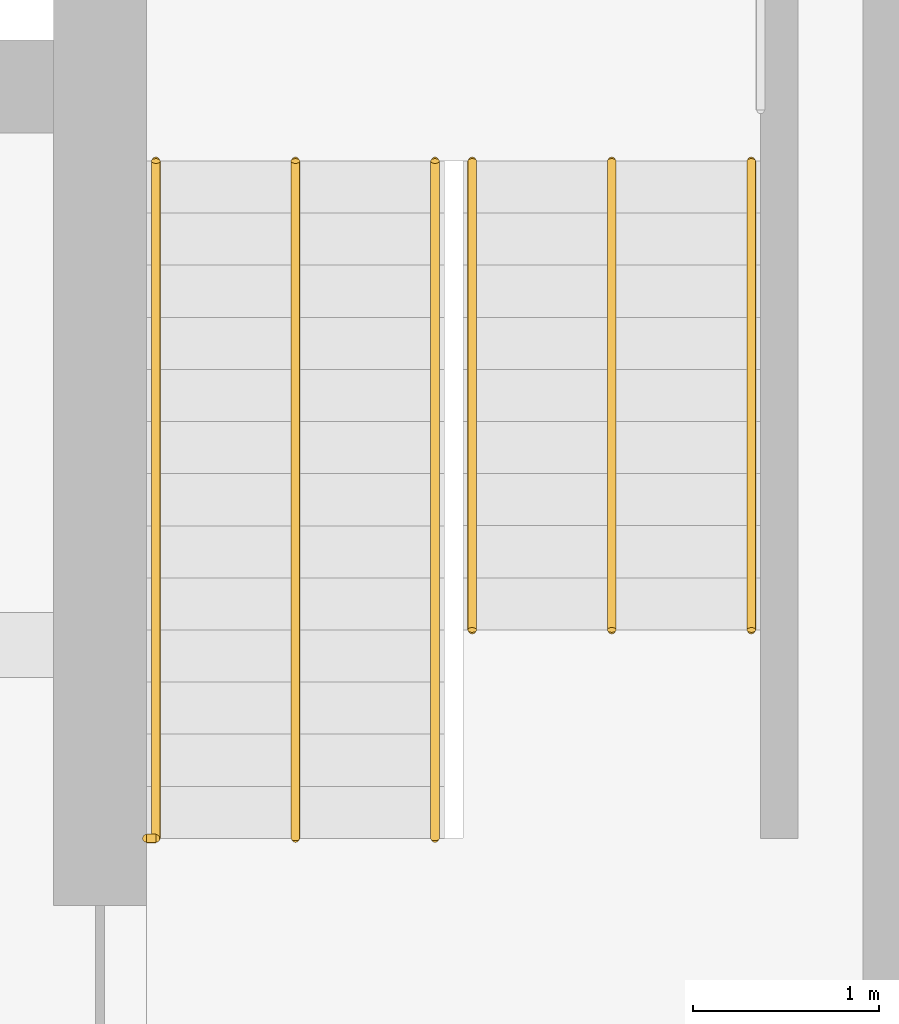
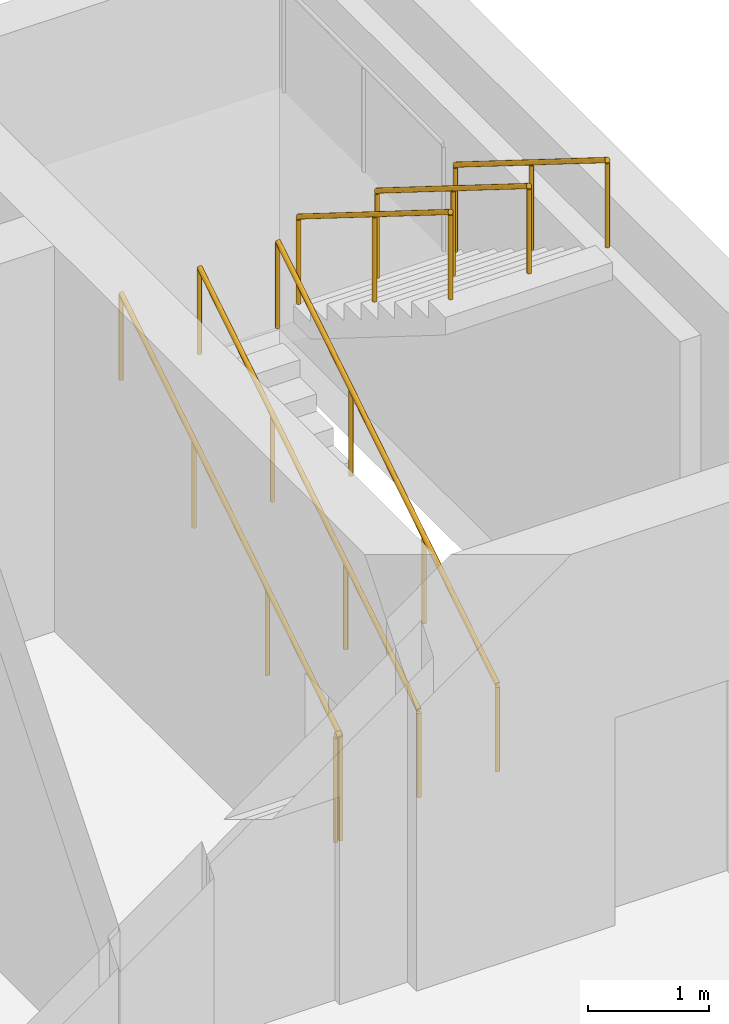
# One storey, part 15 of 16: 7 railings.
"""IFC4 building model written with IfcOpenShell, lengths in metres."""

import ifcopenshell
import ifcopenshell.guid

model = None  # the IFC model being written
_history = None  # IfcOwnerHistory: only IFC2X3 demands one
_inside = {}  # id of a spatial element -> (the spatial element, [elements in it])
_under = {}  # id of a project, library or spatial element -> (it, [spatial elements below it])
_declared = {}  # id of a project -> (the project, [libraries it declares])
_typed = {}  # id of a type object -> (the type object, [elements of that type])
_made_of = {}  # id of a material, layer set ... -> (it, [elements and type objects made of it])


def new_model(schema):
    """Start an empty IFC model of exactly this schema.

    Asked for "IFC4X3", IfcOpenShell would pick the latest addendum, in which some entities
    have other attributes; the version numbers below select the first issue.
    IFC2X3 requires an IfcOwnerHistory on every rooted entity: one is made here for all.
    """
    global model, _history
    if schema == "IFC4X3":
        model = ifcopenshell.file(schema_version=(4, 3, 0, 0))
    else:
        model = ifcopenshell.file(schema=schema)
    _inside.clear()
    _under.clear()
    _declared.clear()
    _typed.clear()
    _made_of.clear()
    _history = None
    if model.schema == "IFC2X3":
        org = make("IfcOrganization", Name="unknown")
        user = make(
            "IfcPersonAndOrganization",
            ThePerson=make("IfcPerson", FamilyName="unknown"),
            TheOrganization=org,
        )
        app = make(
            "IfcApplication",
            ApplicationDeveloper=org,
            Version="unknown",
            ApplicationFullName="unknown",
            ApplicationIdentifier="unknown",
        )
        _history = make(
            "IfcOwnerHistory",
            OwningUser=user,
            OwningApplication=app,
            ChangeAction="ADDED",
            CreationDate=0,
        )
    return model


def make(cls, **values):
    """One entity of the class cls with the attributes given. An attribute that is None is left unset."""
    return model.create_entity(
        cls, **{name: value for name, value in values.items() if value is not None}
    )


def rooted(cls, **values):
    """An entity with a GlobalId (a new one), such as an element, a storey or a relation."""
    return make(cls, GlobalId=ifcopenshell.guid.new(), OwnerHistory=_history, **values)


def si_unit(unit_type, name, prefix=None):
    """IfcSIUnit, for example si_unit("LENGTHUNIT", "METRE", prefix="MILLI")."""
    return make("IfcSIUnit", UnitType=unit_type, Prefix=prefix, Name=name)


def assignment(units):
    """IfcUnitAssignment: the units of a project."""
    return None if units is None else make("IfcUnitAssignment", Units=units)


def point(xyz):
    """IfcCartesianPoint."""
    return None if xyz is None else make("IfcCartesianPoint", Coordinates=xyz)


def direction(xyz):
    """IfcDirection."""
    return None if xyz is None else make("IfcDirection", DirectionRatios=xyz)


def frame(location, z_axis=None, x_axis=None):
    """IfcAxis2Placement3D, a coordinate frame: its origin and axes. An axis left out is left unset."""
    return make(
        "IfcAxis2Placement3D",
        Location=point(location),
        Axis=direction(z_axis),
        RefDirection=direction(x_axis),
    )


def frame_2d(location, x_axis=None):
    """IfcAxis2Placement2D, a coordinate frame in the plane: its origin and x axis."""
    return make(
        "IfcAxis2Placement2D", Location=point(location), RefDirection=direction(x_axis)
    )


def origin():
    """The frame at (0, 0, 0) with its axes left unset."""
    return frame((0.0, 0.0, 0.0))


def origin_2d():
    """The frame at (0, 0) in the plane with its x axis left unset."""
    return frame_2d((0.0, 0.0))


def place(relative_to, where):
    """IfcLocalPlacement: puts the frame where relative to a parent placement (None: the world)."""
    return make(
        "IfcLocalPlacement", PlacementRelTo=relative_to, RelativePlacement=where
    )


def context(
    kind, dimensions, precision=None, world=None, true_north=None, identifier=None
):
    """IfcGeometricRepresentationContext, for example the 3D "Model" context."""
    return make(
        "IfcGeometricRepresentationContext",
        ContextIdentifier=identifier,
        ContextType=kind,
        CoordinateSpaceDimension=dimensions,
        Precision=precision,
        WorldCoordinateSystem=world,
        TrueNorth=true_north,
    )


def subcontext(parent, identifier, kind, view, scale=None):
    """IfcGeometricRepresentationSubContext, for example "Body" below "Model"."""
    return make(
        "IfcGeometricRepresentationSubContext",
        ContextIdentifier=identifier,
        ContextType=kind,
        ParentContext=parent,
        TargetScale=scale,
        TargetView=view,
    )


def project(units=None, contexts=None):
    """IfcProject with its units and contexts."""
    return rooted(
        "IfcProject",
        Name="project",
        RepresentationContexts=contexts,
        UnitsInContext=assignment(units),
    )


def spatial(cls, under=None, at=None, **own):
    """A site, building, storey or space (cls), placed at a placement, below another one or the project."""
    s = rooted(cls, ObjectPlacement=at, **own)
    if under is not None:
        _under.setdefault(under.id(), (under, []))[1].append(s)
    return s


def profile(cls, at=None, kind="AREA", **sizes):
    """A parametric profile (cls). Its sizes go by their IFC names, for example OverallWidth=200.0."""
    return make(cls, ProfileType=kind, Position=at, **sizes)


def circle(**sizes):
    """IfcCircleProfileDef."""
    return profile("IfcCircleProfileDef", **sizes)


def extrude(swept, where, along, depth):
    """IfcExtrudedAreaSolid: the profile swept, set in the frame where, extruded along a direction by depth."""
    return make(
        "IfcExtrudedAreaSolid",
        SweptArea=swept,
        Position=where,
        ExtrudedDirection=direction(along),
        Depth=depth,
    )


def shape(context_of_items, identifier, shape_type, items):
    """IfcShapeRepresentation: the items that make up one representation, for example the "Body"."""
    return make(
        "IfcShapeRepresentation",
        ContextOfItems=context_of_items,
        RepresentationIdentifier=identifier,
        RepresentationType=shape_type,
        Items=items,
    )


def material(Name=None, Category=None):
    """IfcMaterial."""
    return make("IfcMaterial", Name=Name, Category=Category)


def made_of(thing, what):
    """Note that an element or type object is made of a material, layer set ...; save() writes the relation."""
    if what is not None:
        _made_of.setdefault(what.id(), (what, []))[1].append(thing)
    return thing


def type_object(cls, material=None, **own):
    """A type object (cls), such as IfcWallType, which elements share."""
    return made_of(rooted(cls, **own), material)


def element(
    cls,
    number,
    at=None,
    inside=None,
    cuts=None,
    type_object=None,
    material=None,
    context=None,
    identifier="Body",
    shape_type=None,
    held_by="IfcProductDefinitionShape",
    body=None,
    shapes=None,
    **own,
):
    """One element of the class cls, such as IfcWall. Its Tag is "e" and its number.

    at: its placement. inside: the storey or other place that contains it. cuts: it is an
    opening in that element (IfcRelVoidsElement). A single representation is given by context,
    identifier, shape_type and body (its items); several are given by shapes. held_by: the class
    of the entity that holds the representations. save() writes the other relations.
    """
    e = rooted(cls, Tag="e%d" % number, ObjectPlacement=at, **own)
    if body is not None:
        shapes = [shape(context, identifier, shape_type, body)]
    if shapes is not None:
        e.Representation = make(held_by, Representations=shapes)
    if inside is not None:
        _inside.setdefault(inside.id(), (inside, []))[1].append(e)
    if cuts is not None:
        rooted(
            "IfcRelVoidsElement", RelatingBuildingElement=cuts, RelatedOpeningElement=e
        )
    if type_object is not None:
        _typed.setdefault(type_object.id(), (type_object, []))[1].append(e)
    return made_of(e, material)


def aggregate(whole, parts):
    """IfcRelAggregates: a whole, such as a stair, and the parts it consists of."""
    return rooted("IfcRelAggregates", RelatingObject=whole, RelatedObjects=parts)


def save(model, path):
    """Write the relations noted so far, then the file.

    IfcRelAggregates (storeys below a building ...), IfcRelContainedInSpatialStructure (elements
    in a storey), IfcRelDefinesByType, IfcRelAssociatesMaterial and IfcRelDeclares: one each for
    every whole, place, type object, material and project.
    """
    for whole, parts in _under.values():
        aggregate(whole, parts)
    for where, things in _inside.values():
        rooted(
            "IfcRelContainedInSpatialStructure",
            RelatedElements=things,
            RelatingStructure=where,
        )
    for kind, things in _typed.values():
        rooted("IfcRelDefinesByType", RelatedObjects=things, RelatingType=kind)
    for what, things in _made_of.values():
        rooted("IfcRelAssociatesMaterial", RelatedObjects=things, RelatingMaterial=what)
    for by, libraries in _declared.values():
        rooted("IfcRelDeclares", RelatingContext=by, RelatedDefinitions=libraries)
    model.write(path)


model = new_model("IFC4")

# Units and contexts
model_context = context("Model", 3, precision=1e-05, world=origin(), true_north=direction((0.0, 1.0)))
body_context = subcontext(model_context, "Body", "Model", "MODEL_VIEW")
ifc_project = project(units=[si_unit("LENGTHUNIT", "METRE"), si_unit("AREAUNIT", "SQUARE_METRE"), si_unit("VOLUMEUNIT", "CUBIC_METRE"), si_unit("PLANEANGLEUNIT", "RADIAN"), si_unit("MASSUNIT", "GRAM", prefix="KILO")], contexts=[model_context])

# Site, building, storey
site_placement = place(None, origin())
site = spatial("IfcSite", under=ifc_project, at=site_placement, CompositionType="ELEMENT")
building_placement = place(site_placement, origin())
building = spatial("IfcBuilding", under=site, at=building_placement, Name="Aurelan Courthouse", CompositionType="ELEMENT")
storey_placement = place(building_placement, frame((0.0, 0.0, -4.199951171875)))
storey = spatial("IfcBuildingStorey", under=building, at=storey_placement, Name="B1", CompositionType="ELEMENT", Elevation=-4.199951171875)

# Railings
ifc_material = material(Name="Steel S355", Category="steel")
railing_type_1 = type_object("IfcRailingType", Name="Stair guard 1100", PredefinedType="GUARDRAIL", material=ifc_material)
railing_placement = place(storey_placement, frame((85.800048828125, 58.9599609375, 0.0)))
element("IfcRailing", 1, at=railing_placement, inside=storey, type_object=railing_type_1, Name="Guard ST-3B-B1-H1-C", PredefinedType="GUARDRAIL", context=body_context, shape_type="SweptSolid", body=[
    extrude(circle(Radius=0.02392578125, at=origin_2d()), frame((0.0, 0.0, 1.076171875), z_axis=(-1.0, 0.0, 0.0), x_axis=(0.0, -1.0, 0.0)), (0.0, 0.0, 1.0), 0.050048828125),
    extrude(circle(Radius=0.02099609375, at=origin_2d()), origin(), (0.0, 0.0, 1.0), 1.052001953125),
    extrude(circle(Radius=0.02099609375, at=origin_2d()), frame((-0.050048828125, 0.0, 0.0)), (0.0, 0.0, 1.0), 1.052001953125),
])
railing_type_2 = type_object("IfcRailingType", Name="Stair handrail 900", PredefinedType="HANDRAIL", material=ifc_material)
for number, where, name in (
    (2, (85.800048828125, 58.9599609375, 0.175048828125), "Handrail ST-3B-B1-H1"),
    (3, (87.300048828125, 58.9599609375, 0.175048828125), "Handrail ST-3B-B1-H2"),
    (4, (86.550048828125, 58.9599609375, 0.175048828125), "Handrail ST-3B-B1-H3"),
):
    element("IfcRailing", number, at=place(storey_placement, frame(where)), inside=storey, type_object=railing_type_2, Name=name, PredefinedType="HANDRAIL", context=body_context, shape_type="SweptSolid", body=[
        extrude(circle(Radius=0.02392578125, at=origin_2d()), frame((0.0, 0.0, 0.8759765625), z_axis=(0.0, 0.848017475052, 0.529968265093), x_axis=(-1.0, 0.0, 0.0)), (0.0, 0.0, 1.0), 4.29248046875),
        extrude(circle(Radius=0.02099609375, at=origin_2d()), origin(), (0.0, 0.0, 1.0), 0.851806640625),
        extrude(circle(Radius=0.02099609375, at=origin_2d()), frame((0.0, 1.21337890625, 0.75830078125)), (0.0, 0.0, 1.0), 0.851806640625),
        extrude(circle(Radius=0.02099609375, at=origin_2d()), frame((0.0, 2.4267578125, 1.5166015625)), (0.0, 0.0, 1.0), 0.851806640625),
        extrude(circle(Radius=0.02099609375, at=origin_2d()), frame((0.0, 3.64013671875, 2.27490234375)), (0.0, 0.0, 1.0), 0.851806640625),
    ])
for number, where, name in (
    (5, (87.5, 62.60009765625, 2.625), "Handrail ST-3B-B1-H4"),
    (6, (89.0, 62.60009765625, 2.625), "Handrail ST-3B-B1-H5"),
    (7, (88.25, 62.60009765625, 2.625), "Handrail ST-3B-B1-H6"),
):
    element("IfcRailing", number, at=place(storey_placement, frame(where)), inside=storey, type_object=railing_type_2, Name=name, PredefinedType="HANDRAIL", context=body_context, shape_type="SweptSolid", body=[
        extrude(circle(Radius=0.02392578125, at=origin_2d()), frame((0.0, 0.0, 0.8759765625), z_axis=(0.0, -0.848007534815, 0.529984170421), x_axis=(1.0, 0.0, 0.0)), (0.0, 0.0, 1.0), 2.9716796875),
        extrude(circle(Radius=0.02099609375, at=origin_2d()), origin(), (0.0, 0.0, 1.0), 0.851806640625),
        extrude(circle(Radius=0.02099609375, at=origin_2d()), frame((0.0, -1.260009765625, 0.78759765625)), (0.0, 0.0, 1.0), 0.851806640625),
        extrude(circle(Radius=0.02099609375, at=origin_2d()), frame((0.0, -2.52001953125, 1.574951171875)), (0.0, 0.0, 1.0), 0.851806640625),
    ])

save(model, "model.ifc")
